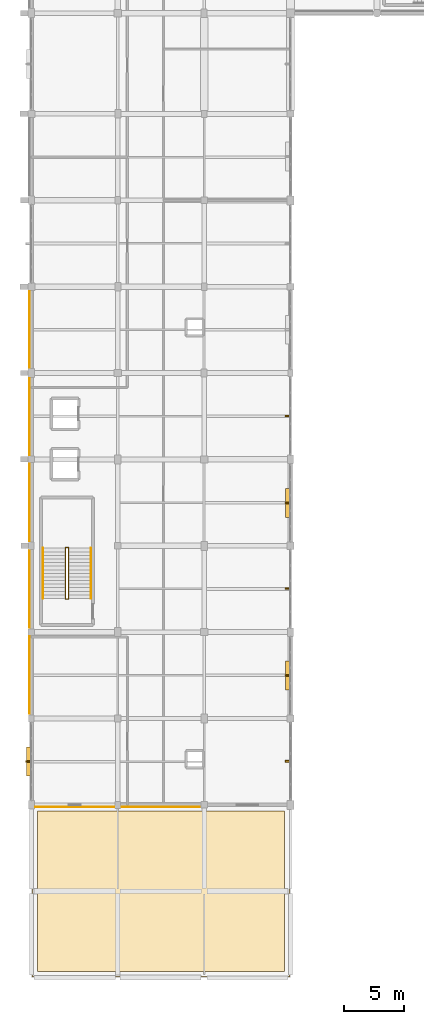
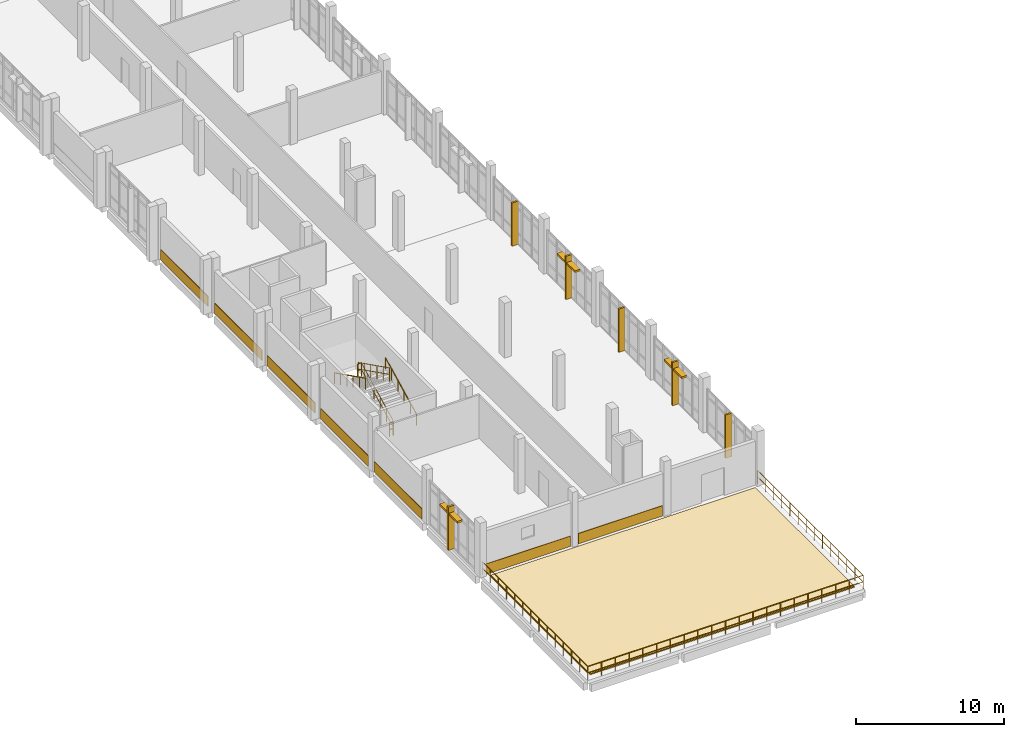
# One storey, part 53 of 57: 9 shading devices, 8 coverings, 7 railings.
"""IFC4 building model written with IfcOpenShell, lengths in metres."""

from ifc_helpers import new_model, si_unit, direction, frame, origin, origin_2d, place, context, subcontext, project, spatial, polyline, rectangle, circle, outline, extrude, material, layer, layer_set, type_object, element, save


model = new_model("IFC4")

# Units and contexts
model_context = context("Model", 3, precision=1e-05, world=origin(), true_north=direction((0.0, 1.0)))
body_context = subcontext(model_context, "Body", "Model", "MODEL_VIEW")
ifc_project = project(units=[si_unit("LENGTHUNIT", "METRE"), si_unit("AREAUNIT", "SQUARE_METRE"), si_unit("VOLUMEUNIT", "CUBIC_METRE"), si_unit("PLANEANGLEUNIT", "RADIAN"), si_unit("MASSUNIT", "GRAM", prefix="KILO")], contexts=[model_context])

# Site, building, storey
site_placement = place(None, origin())
site = spatial("IfcSite", under=ifc_project, at=site_placement, CompositionType="ELEMENT")
building_placement = place(site_placement, origin())
building = spatial("IfcBuilding", under=site, at=building_placement, Name="Kalluvel Institute of Natural Sciences", CompositionType="ELEMENT")
storey_placement = place(building_placement, frame((0.0, 0.0, 23.39990234375)))
storey = spatial("IfcBuildingStorey", under=building, at=storey_placement, Name="L05", CompositionType="ELEMENT", Elevation=23.39990234375)

# Coverings
ifc_material_1 = material(Name="Sadarahalli Grey Granite Ashlar Concrete M40", Category="masonry")
ifc_layer_1 = layer(ifc_material_1, 0.044921875)
ifc_layer_set_1 = layer_set([ifc_layer_1], Name="Sadarahalli Grey Granite Ashlar Concrete M40")
covering_type_1 = type_object("IfcCoveringType", Name="COV-CLAD-STONE", PredefinedType="CLADDING", material=ifc_layer_set_1)
for number, where, z_axis, x_axis, name in (
    (1, (13.830078125, 39.21240234375, 0.025146484375), (0.0, 0.0, 1.0), (0.0, 1.0, 0.0), "L05 Sadarahalli granite plinth spandrel cladding 182"),
    (2, (13.820068359375, 46.387451171875, 0.025146484375), (0.0, 0.0, 1.0), (0.0, 1.0, 0.0), "L05 Sadarahalli granite plinth spandrel cladding 183"),
    (3, (13.820068359375, 53.612548828125, 0.025146484375), (0.0, 0.0, 1.0), (0.0, 1.0, 0.0), "L05 Sadarahalli granite plinth spandrel cladding 184"),
):
    element("IfcCovering", number, at=place(storey_placement, frame(where, z_axis=z_axis, x_axis=x_axis)), inside=storey, type_object=covering_type_1, Name=name, PredefinedType="CLADDING", context=body_context, shape_type="SweptSolid", body=[
        extrude(rectangle(XDim=6.465087890625, YDim=0.044921875, at=origin_2d()), origin(), (0.0, 0.0, 1.0), 0.85009765625),
    ])
covering_1_placement = place(storey_placement, frame((13.820068359375, 60.75, 0.025146484375), z_axis=(0.0, 0.0, 1.0), x_axis=(0.0, 1.0, 0.0)))
element("IfcCovering", 4, at=covering_1_placement, inside=storey, type_object=covering_type_1, Name="L05 Sadarahalli granite plinth spandrel cladding 185", PredefinedType="CLADDING", context=body_context, shape_type="SweptSolid", body=[
    extrude(rectangle(XDim=6.389892578125, YDim=0.044921875, at=origin_2d()), origin(), (0.0, 0.0, 1.0), 0.85009765625),
])
covering_2_placement = place(storey_placement, frame((13.830078125, 68.03759765625, 0.025146484375), z_axis=(0.0, 0.0, 1.0), x_axis=(0.0, 1.0, 0.0)))
element("IfcCovering", 5, at=covering_2_placement, inside=storey, type_object=covering_type_1, Name="L05 Sadarahalli granite plinth spandrel cladding 186", PredefinedType="CLADDING", context=body_context, shape_type="SweptSolid", body=[
    extrude(rectangle(XDim=6.364990234375, YDim=0.044921875, at=origin_2d()), origin(), (0.0, 0.0, 1.0), 0.85009765625),
])
covering_3_placement = place(storey_placement, frame((17.612548828125, 28.22998046875, 0.025146484375), z_axis=(0.0, 0.0, 1.0), x_axis=(1.0, 0.0, 0.0)))
element("IfcCovering", 6, at=covering_3_placement, inside=storey, type_object=covering_type_1, Name="L05 Sadarahalli granite plinth spandrel cladding 189", PredefinedType="CLADDING", context=body_context, shape_type="SweptSolid", body=[
    extrude(rectangle(XDim=6.56494140625, YDim=0.044921875, at=origin_2d()), origin(), (0.0, 0.0, 1.0), 0.85009765625),
])
covering_4_placement = place(storey_placement, frame((24.77490234375, 28.22998046875, 0.025146484375), z_axis=(0.0, 0.0, 1.0), x_axis=(1.0, 0.0, 0.0)))
element("IfcCovering", 7, at=covering_4_placement, inside=storey, type_object=covering_type_1, Name="L05 Sadarahalli granite plinth spandrel cladding 190", PredefinedType="CLADDING", context=body_context, shape_type="SweptSolid", body=[
    extrude(rectangle(XDim=6.5400390625, YDim=0.044921875, at=origin_2d()), origin(), (0.0, 0.0, 1.0), 0.85009765625),
])
ifc_material_2 = material(Name="Planted Sedum and Native Flora Green-Roof Build-Up", Category="earth")
ifc_layer_2 = layer(ifc_material_2, 0.090087890625)
ifc_layer_set_2 = layer_set([ifc_layer_2], Name="Planted Sedum and Native Flora Green-Roof Build-Up")
covering_type_2 = type_object("IfcCoveringType", Name="COV-TER-PLANTED", PredefinedType="ROOFING", material=ifc_layer_set_2)
covering_5_placement = place(storey_placement, origin())
element("IfcCovering", 8, at=covering_5_placement, inside=storey, type_object=covering_type_2, Name="L05 botanical planted terrace green-roof strip RM-L05-DRY-PLANT", PredefinedType="ROOFING", context=body_context, shape_type="SweptSolid", body=[
    extrude(outline(polyline([(14.5, 14.5), (35.10009765625, 14.5), (35.10009765625, 27.89990234375), (14.5, 27.89990234375), (14.5, 14.5)])), origin(), (0.0, 0.0, 1.0), 0.090087890625),
])

# Railings
ifc_material_3 = material(Name="Steel E350 Grade 350", Category="steel")
railing_type_1 = type_object("IfcRailingType", Name="RL-BAL-EXT", PredefinedType="BALUSTRADE", material=ifc_material_3)
railing_1_placement = place(storey_placement, frame((14.080078125, 28.320068359375, 0.0)))
element("IfcRailing", 9, at=railing_1_placement, inside=storey, type_object=railing_type_1, Name="L05 Dry-Wing south terrace balustrade", PredefinedType="BALUSTRADE", context=body_context, shape_type="SweptSolid", body=[
    extrude(circle(Radius=0.02392578125, at=origin_2d()), frame((0.0, 0.0, 1.09619140625), z_axis=(0.0, -1.0, 0.0), x_axis=(1.0, 0.0, 0.0)), (0.0, 0.0, 1.0), 14.239990234375),
    extrude(circle(Radius=0.02392578125, at=origin_2d()), frame((0.0, 0.0, 0.56005859375), z_axis=(0.0, -1.0, 0.0), x_axis=(1.0, 0.0, 0.0)), (0.0, 0.0, 1.0), 14.239990234375),
    extrude(circle(Radius=0.02392578125, at=origin_2d()), frame((0.0, -14.239990234375, 1.09619140625), z_axis=(1.0, 0.0, 0.0), x_axis=(0.0, 1.0, 0.0)), (0.0, 0.0, 1.0), 21.43994140625),
    extrude(circle(Radius=0.02392578125, at=origin_2d()), frame((0.0, -14.239990234375, 0.56005859375), z_axis=(1.0, 0.0, 0.0), x_axis=(0.0, 1.0, 0.0)), (0.0, 0.0, 1.0), 21.43994140625),
    extrude(circle(Radius=0.02392578125, at=origin_2d()), frame((21.43994140625, -14.239990234375, 1.09619140625), z_axis=(0.0, 1.0, 0.0), x_axis=(-1.0, 0.0, 0.0)), (0.0, 0.0, 1.0), 14.239990234375),
    extrude(circle(Radius=0.02392578125, at=origin_2d()), frame((21.43994140625, -14.239990234375, 0.56005859375), z_axis=(0.0, 1.0, 0.0), x_axis=(-1.0, 0.0, 0.0)), (0.0, 0.0, 1.0), 14.239990234375),
    extrude(circle(Radius=0.02099609375, at=origin_2d()), origin(), (0.0, 0.0, 1.0), 1.072021484375),
    extrude(circle(Radius=0.02099609375, at=origin_2d()), frame((0.0, -1.095458984375, 0.0)), (0.0, 0.0, 1.0), 1.072021484375),
    extrude(circle(Radius=0.02099609375, at=origin_2d()), frame((0.0, -2.190673828125, 0.0)), (0.0, 0.0, 1.0), 1.072021484375),
    extrude(circle(Radius=0.02099609375, at=origin_2d()), frame((0.0, -3.2861328125, 0.0)), (0.0, 0.0, 1.0), 1.072021484375),
    extrude(circle(Radius=0.02099609375, at=origin_2d()), frame((0.0, -4.381591796875, 0.0)), (0.0, 0.0, 1.0), 1.072021484375),
    extrude(circle(Radius=0.02099609375, at=origin_2d()), frame((0.0, -5.476806640625, 0.0)), (0.0, 0.0, 1.0), 1.072021484375),
    extrude(circle(Radius=0.02099609375, at=origin_2d()), frame((0.0, -6.572265625, 0.0)), (0.0, 0.0, 1.0), 1.072021484375),
    extrude(circle(Radius=0.02099609375, at=origin_2d()), frame((0.0, -7.667724609375, 0.0)), (0.0, 0.0, 1.0), 1.072021484375),
    extrude(circle(Radius=0.02099609375, at=origin_2d()), frame((0.0, -8.76318359375, 0.0)), (0.0, 0.0, 1.0), 1.072021484375),
    extrude(circle(Radius=0.02099609375, at=origin_2d()), frame((0.0, -9.8583984375, 0.0)), (0.0, 0.0, 1.0), 1.072021484375),
    extrude(circle(Radius=0.02099609375, at=origin_2d()), frame((0.0, -10.953857421875, 0.0)), (0.0, 0.0, 1.0), 1.072021484375),
    extrude(circle(Radius=0.02099609375, at=origin_2d()), frame((0.0, -12.04931640625, 0.0)), (0.0, 0.0, 1.0), 1.072021484375),
    extrude(circle(Radius=0.02099609375, at=origin_2d()), frame((0.0, -13.14453125, 0.0)), (0.0, 0.0, 1.0), 1.072021484375),
    extrude(circle(Radius=0.02099609375, at=origin_2d()), frame((0.0, -14.239990234375, 0.0)), (0.0, 0.0, 1.0), 1.072021484375),
    extrude(circle(Radius=0.02099609375, at=origin_2d()), frame((1.072021484375, -14.239990234375, 0.0)), (0.0, 0.0, 1.0), 1.072021484375),
    extrude(circle(Radius=0.02099609375, at=origin_2d()), frame((2.14404296875, -14.239990234375, 0.0)), (0.0, 0.0, 1.0), 1.072021484375),
    extrude(circle(Radius=0.02099609375, at=origin_2d()), frame((3.216064453125, -14.239990234375, 0.0)), (0.0, 0.0, 1.0), 1.072021484375),
    extrude(circle(Radius=0.02099609375, at=origin_2d()), frame((4.2880859375, -14.239990234375, 0.0)), (0.0, 0.0, 1.0), 1.072021484375),
    extrude(circle(Radius=0.02099609375, at=origin_2d()), frame((5.35986328125, -14.239990234375, 0.0)), (0.0, 0.0, 1.0), 1.072021484375),
    extrude(circle(Radius=0.02099609375, at=origin_2d()), frame((6.431884765625, -14.239990234375, 0.0)), (0.0, 0.0, 1.0), 1.072021484375),
    extrude(circle(Radius=0.02099609375, at=origin_2d()), frame((7.50390625, -14.239990234375, 0.0)), (0.0, 0.0, 1.0), 1.072021484375),
    extrude(circle(Radius=0.02099609375, at=origin_2d()), frame((8.575927734375, -14.239990234375, 0.0)), (0.0, 0.0, 1.0), 1.072021484375),
    extrude(circle(Radius=0.02099609375, at=origin_2d()), frame((9.64794921875, -14.239990234375, 0.0)), (0.0, 0.0, 1.0), 1.072021484375),
    extrude(circle(Radius=0.02099609375, at=origin_2d()), frame((10.719970703125, -14.239990234375, 0.0)), (0.0, 0.0, 1.0), 1.072021484375),
    extrude(circle(Radius=0.02099609375, at=origin_2d()), frame((11.7919921875, -14.239990234375, 0.0)), (0.0, 0.0, 1.0), 1.072021484375),
    extrude(circle(Radius=0.02099609375, at=origin_2d()), frame((12.864013671875, -14.239990234375, 0.0)), (0.0, 0.0, 1.0), 1.072021484375),
    extrude(circle(Radius=0.02099609375, at=origin_2d()), frame((13.93603515625, -14.239990234375, 0.0)), (0.0, 0.0, 1.0), 1.072021484375),
    extrude(circle(Radius=0.02099609375, at=origin_2d()), frame((15.008056640625, -14.239990234375, 0.0)), (0.0, 0.0, 1.0), 1.072021484375),
    extrude(circle(Radius=0.02099609375, at=origin_2d()), frame((16.080078125, -14.239990234375, 0.0)), (0.0, 0.0, 1.0), 1.072021484375),
    extrude(circle(Radius=0.02099609375, at=origin_2d()), frame((17.15185546875, -14.239990234375, 0.0)), (0.0, 0.0, 1.0), 1.072021484375),
    extrude(circle(Radius=0.02099609375, at=origin_2d()), frame((18.223876953125, -14.239990234375, 0.0)), (0.0, 0.0, 1.0), 1.072021484375),
    extrude(circle(Radius=0.02099609375, at=origin_2d()), frame((19.2958984375, -14.239990234375, 0.0)), (0.0, 0.0, 1.0), 1.072021484375),
    extrude(circle(Radius=0.02099609375, at=origin_2d()), frame((20.367919921875, -14.239990234375, 0.0)), (0.0, 0.0, 1.0), 1.072021484375),
    extrude(circle(Radius=0.02099609375, at=origin_2d()), frame((21.43994140625, -14.239990234375, 0.0)), (0.0, 0.0, 1.0), 1.072021484375),
    extrude(circle(Radius=0.02099609375, at=origin_2d()), frame((21.43994140625, -13.14453125, 0.0)), (0.0, 0.0, 1.0), 1.072021484375),
    extrude(circle(Radius=0.02099609375, at=origin_2d()), frame((21.43994140625, -12.04931640625, 0.0)), (0.0, 0.0, 1.0), 1.072021484375),
    extrude(circle(Radius=0.02099609375, at=origin_2d()), frame((21.43994140625, -10.953857421875, 0.0)), (0.0, 0.0, 1.0), 1.072021484375),
    extrude(circle(Radius=0.02099609375, at=origin_2d()), frame((21.43994140625, -9.8583984375, 0.0)), (0.0, 0.0, 1.0), 1.072021484375),
    extrude(circle(Radius=0.02099609375, at=origin_2d()), frame((21.43994140625, -8.76318359375, 0.0)), (0.0, 0.0, 1.0), 1.072021484375),
    extrude(circle(Radius=0.02099609375, at=origin_2d()), frame((21.43994140625, -7.667724609375, 0.0)), (0.0, 0.0, 1.0), 1.072021484375),
    extrude(circle(Radius=0.02099609375, at=origin_2d()), frame((21.43994140625, -6.572265625, 0.0)), (0.0, 0.0, 1.0), 1.072021484375),
    extrude(circle(Radius=0.02099609375, at=origin_2d()), frame((21.43994140625, -5.476806640625, 0.0)), (0.0, 0.0, 1.0), 1.072021484375),
    extrude(circle(Radius=0.02099609375, at=origin_2d()), frame((21.43994140625, -4.381591796875, 0.0)), (0.0, 0.0, 1.0), 1.072021484375),
    extrude(circle(Radius=0.02099609375, at=origin_2d()), frame((21.43994140625, -3.2861328125, 0.0)), (0.0, 0.0, 1.0), 1.072021484375),
    extrude(circle(Radius=0.02099609375, at=origin_2d()), frame((21.43994140625, -2.190673828125, 0.0)), (0.0, 0.0, 1.0), 1.072021484375),
    extrude(circle(Radius=0.02099609375, at=origin_2d()), frame((21.43994140625, -1.095458984375, 0.0)), (0.0, 0.0, 1.0), 1.072021484375),
    extrude(circle(Radius=0.02099609375, at=origin_2d()), frame((21.43994140625, 0.0, 0.0)), (0.0, 0.0, 1.0), 1.072021484375),
])
ifc_material_4 = material(Name="Galvanized Fire-Rated Steel", Category="steel")
railing_type_2 = type_object("IfcRailingType", Name="RL-GD-STAIR", PredefinedType="BALUSTRADE", material=ifc_material_4)
railing_2_placement = place(storey_placement, frame((17.090087890625, 45.60009765625, 0.150146484375)))
element("IfcRailing", 10, at=railing_2_placement, inside=storey, type_object=railing_type_2, Name="L05 ST4 stair guard 1", PredefinedType="BALUSTRADE", context=body_context, shape_type="SweptSolid", body=[
    extrude(circle(Radius=0.02392578125, at=origin_2d()), frame((0.0, 0.0, 1.09619140625), z_axis=(0.0, 0.894437589381, 0.447192798132), x_axis=(-1.0, 0.0, 0.0)), (0.0, 0.0, 1.0), 4.695556640625),
    extrude(circle(Radius=0.02392578125, at=origin_2d()), frame((0.0, 0.0, 0.56005859375), z_axis=(0.0, 0.894437589381, 0.447192798132), x_axis=(-1.0, 0.0, 0.0)), (0.0, 0.0, 1.0), 4.695556640625),
    extrude(circle(Radius=0.02099609375, at=origin_2d()), origin(), (0.0, 0.0, 1.0), 1.072021484375),
    extrude(circle(Radius=0.02099609375, at=origin_2d()), frame((0.0, 0.840087890625, 0.419921875)), (0.0, 0.0, 1.0), 1.072021484375),
    extrude(circle(Radius=0.02099609375, at=origin_2d()), frame((0.0, 1.679931640625, 0.83984375)), (0.0, 0.0, 1.0), 1.072021484375),
    extrude(circle(Radius=0.02099609375, at=origin_2d()), frame((0.0, 2.52001953125, 1.260009765625)), (0.0, 0.0, 1.0), 1.072021484375),
    extrude(circle(Radius=0.02099609375, at=origin_2d()), frame((0.0, 3.35986328125, 1.679931640625)), (0.0, 0.0, 1.0), 1.072021484375),
    extrude(circle(Radius=0.02099609375, at=origin_2d()), frame((0.0, 4.199951171875, 2.099853515625)), (0.0, 0.0, 1.0), 1.072021484375),
])
railing_3_placement = place(storey_placement, frame((17.10498046875, 49.85009765625, 2.25)))
element("IfcRailing", 11, at=railing_3_placement, inside=storey, type_object=railing_type_2, Name="L05 ST4 stair guard 2", PredefinedType="BALUSTRADE", context=body_context, shape_type="SweptSolid", body=[
    extrude(circle(Radius=0.02392578125, at=origin_2d()), frame((0.0, 0.0, 1.09619140625), z_axis=(-1.0, 0.0, 0.0), x_axis=(0.0, -1.0, 0.0)), (0.0, 0.0, 1.0), 0.280029296875),
    extrude(circle(Radius=0.02392578125, at=origin_2d()), frame((0.0, 0.0, 0.56005859375), z_axis=(-1.0, 0.0, 0.0), x_axis=(0.0, -1.0, 0.0)), (0.0, 0.0, 1.0), 0.280029296875),
    extrude(circle(Radius=0.02099609375, at=origin_2d()), origin(), (0.0, 0.0, 1.0), 1.072021484375),
    extrude(circle(Radius=0.02099609375, at=origin_2d()), frame((-0.280029296875, 0.0, 0.0)), (0.0, 0.0, 1.0), 1.072021484375),
])
railing_4_placement = place(storey_placement, frame((16.840087890625, 49.800048828125, 2.400146484375)))
element("IfcRailing", 12, at=railing_4_placement, inside=storey, type_object=railing_type_2, Name="L05 ST4 stair guard 3", PredefinedType="BALUSTRADE", context=body_context, shape_type="SweptSolid", body=[
    extrude(circle(Radius=0.02392578125, at=origin_2d()), frame((0.0, 0.0, 1.09619140625), z_axis=(0.0, -0.894437589381, 0.447192798132), x_axis=(1.0, 0.0, 0.0)), (0.0, 0.0, 1.0), 4.695556640625),
    extrude(circle(Radius=0.02392578125, at=origin_2d()), frame((0.0, 0.0, 0.56005859375), z_axis=(0.0, -0.894437589381, 0.447192798132), x_axis=(1.0, 0.0, 0.0)), (0.0, 0.0, 1.0), 4.695556640625),
    extrude(circle(Radius=0.02099609375, at=origin_2d()), origin(), (0.0, 0.0, 1.0), 1.072021484375),
    extrude(circle(Radius=0.02099609375, at=origin_2d()), frame((0.0, -0.840087890625, 0.419921875)), (0.0, 0.0, 1.0), 1.072021484375),
    extrude(circle(Radius=0.02099609375, at=origin_2d()), frame((0.0, -1.679931640625, 0.83984375)), (0.0, 0.0, 1.0), 1.072021484375),
    extrude(circle(Radius=0.02099609375, at=origin_2d()), frame((0.0, -2.52001953125, 1.260009765625)), (0.0, 0.0, 1.0), 1.072021484375),
    extrude(circle(Radius=0.02099609375, at=origin_2d()), frame((0.0, -3.35986328125, 1.679931640625)), (0.0, 0.0, 1.0), 1.072021484375),
    extrude(circle(Radius=0.02099609375, at=origin_2d()), frame((0.0, -4.199951171875, 2.099853515625)), (0.0, 0.0, 1.0), 1.072021484375),
])
railing_5_placement = place(storey_placement, frame((17.10498046875, 45.550048828125, 0.0)))
element("IfcRailing", 13, at=railing_5_placement, inside=storey, type_object=railing_type_2, Name="L05 ST4 stair guard 4", PredefinedType="BALUSTRADE", context=body_context, shape_type="SweptSolid", body=[
    extrude(circle(Radius=0.02392578125, at=origin_2d()), frame((0.0, 0.0, 1.09619140625), z_axis=(-1.0, 0.0, 0.0), x_axis=(0.0, -1.0, 0.0)), (0.0, 0.0, 1.0), 0.280029296875),
    extrude(circle(Radius=0.02392578125, at=origin_2d()), frame((0.0, 0.0, 0.56005859375), z_axis=(-1.0, 0.0, 0.0), x_axis=(0.0, -1.0, 0.0)), (0.0, 0.0, 1.0), 0.280029296875),
    extrude(circle(Radius=0.02099609375, at=origin_2d()), origin(), (0.0, 0.0, 1.0), 1.072021484375),
    extrude(circle(Radius=0.02099609375, at=origin_2d()), frame((-0.280029296875, 0.0, 0.0)), (0.0, 0.0, 1.0), 1.072021484375),
])
railing_type_3 = type_object("IfcRailingType", Name="RL-HR-STAIR", PredefinedType="HANDRAIL", material=ifc_material_4)
railing_6_placement = place(storey_placement, frame((18.949951171875, 45.60009765625, 0.150146484375)))
element("IfcRailing", 14, at=railing_6_placement, inside=storey, type_object=railing_type_3, Name="L05 ST4 stair handrail 1", PredefinedType="HANDRAIL", context=body_context, shape_type="SweptSolid", body=[
    extrude(circle(Radius=0.02392578125, at=origin_2d()), frame((0.0, 0.0, 0.89599609375), z_axis=(0.0, 0.894437589381, 0.447192798132), x_axis=(-1.0, 0.0, 0.0)), (0.0, 0.0, 1.0), 4.695556640625),
    extrude(circle(Radius=0.02099609375, at=origin_2d()), origin(), (0.0, 0.0, 1.0), 0.871826171875),
    extrude(circle(Radius=0.02099609375, at=origin_2d()), frame((0.0, 0.840087890625, 0.419921875)), (0.0, 0.0, 1.0), 0.871826171875),
    extrude(circle(Radius=0.02099609375, at=origin_2d()), frame((0.0, 1.679931640625, 0.83984375)), (0.0, 0.0, 1.0), 0.871826171875),
    extrude(circle(Radius=0.02099609375, at=origin_2d()), frame((0.0, 2.52001953125, 1.260009765625)), (0.0, 0.0, 1.0), 0.871826171875),
    extrude(circle(Radius=0.02099609375, at=origin_2d()), frame((0.0, 3.35986328125, 1.679931640625)), (0.0, 0.0, 1.0), 0.871826171875),
    extrude(circle(Radius=0.02099609375, at=origin_2d()), frame((0.0, 4.199951171875, 2.099853515625)), (0.0, 0.0, 1.0), 0.871826171875),
])
railing_7_placement = place(storey_placement, frame((14.97998046875, 49.800048828125, 2.400146484375)))
element("IfcRailing", 15, at=railing_7_placement, inside=storey, type_object=railing_type_3, Name="L05 ST4 stair handrail 2", PredefinedType="HANDRAIL", context=body_context, shape_type="SweptSolid", body=[
    extrude(circle(Radius=0.02392578125, at=origin_2d()), frame((0.0, 0.0, 0.89599609375), z_axis=(0.0, -0.894437589381, 0.447192798132), x_axis=(1.0, 0.0, 0.0)), (0.0, 0.0, 1.0), 4.695556640625),
    extrude(circle(Radius=0.02099609375, at=origin_2d()), origin(), (0.0, 0.0, 1.0), 0.871826171875),
    extrude(circle(Radius=0.02099609375, at=origin_2d()), frame((0.0, -0.840087890625, 0.419921875)), (0.0, 0.0, 1.0), 0.871826171875),
    extrude(circle(Radius=0.02099609375, at=origin_2d()), frame((0.0, -1.679931640625, 0.83984375)), (0.0, 0.0, 1.0), 0.871826171875),
    extrude(circle(Radius=0.02099609375, at=origin_2d()), frame((0.0, -2.52001953125, 1.260009765625)), (0.0, 0.0, 1.0), 0.871826171875),
    extrude(circle(Radius=0.02099609375, at=origin_2d()), frame((0.0, -3.35986328125, 1.679931640625)), (0.0, 0.0, 1.0), 0.871826171875),
    extrude(circle(Radius=0.02099609375, at=origin_2d()), frame((0.0, -4.199951171875, 2.099853515625)), (0.0, 0.0, 1.0), 0.871826171875),
])

# Shading devices
shading_device_type_1 = type_object("IfcShadingDeviceType", Name="SHD-FIN-STONE", PredefinedType="USERDEFINED", material=ifc_material_1)
for number, where, z_axis, x_axis, name in (
    (16, (13.780029296875, 32.02490234375, 0.0), (0.0, 0.0, 1.0), (0.0, 1.0, 0.0), "L05 monsoon lancet shading fin 186"),
    (17, (35.3798828125, 32.03759765625, 0.0), (0.0, 0.0, 1.0), (0.0, 1.0, 0.0), "L05 monsoon lancet shading fin 191"),
    (18, (35.3798828125, 39.175048828125, 0.0), (0.0, 0.0, 1.0), (0.0, 1.0, 0.0), "L05 monsoon lancet shading fin 192"),
    (19, (35.3798828125, 46.425048828125, 0.0), (0.0, 0.0, 1.0), (0.0, 1.0, 0.0), "L05 monsoon lancet shading fin 194"),
    (20, (35.3798828125, 53.574951171875, 0.0), (0.0, 0.0, 1.0), (0.0, 1.0, 0.0), "L05 monsoon lancet shading fin 195"),
    (21, (35.3798828125, 60.824951171875, 0.0), (0.0, 0.0, 1.0), (0.0, 1.0, 0.0), "L05 monsoon lancet shading fin 197"),
):
    element("IfcShadingDevice", number, at=place(storey_placement, frame(where, z_axis=z_axis, x_axis=x_axis)), inside=storey, type_object=shading_device_type_1, Name=name, ObjectType="MONSOON FIN", PredefinedType="USERDEFINED", context=body_context, shape_type="SweptSolid", body=[
        extrude(rectangle(XDim=0.139892578125, YDim=0.47998046875, at=origin_2d()), origin(), (0.0, 0.0, 1.0), 3.570068359375),
    ])
ifc_material_5 = material(Name="Aluminium AW-6063 T6", Category="aluminium")
shading_device_type_2 = type_object("IfcShadingDeviceType", Name="SHD-LOUV-ALU", PredefinedType="JALOUSIE", material=ifc_material_5)
for number, where, z_axis, x_axis, name in (
    (22, (13.800048828125, 32.02490234375, 2.89013671875), (0.0, 0.0, 1.0), (0.0, 1.0, 0.0), "L05 aluminium sun-shading louvre 187"),
    (23, (35.39990234375, 39.175048828125, 2.89013671875), (0.0, 0.0, 1.0), (0.0, 1.0, 0.0), "L05 aluminium sun-shading louvre 193"),
    (24, (35.39990234375, 53.574951171875, 2.89013671875), (0.0, 0.0, 1.0), (0.0, 1.0, 0.0), "L05 aluminium sun-shading louvre 196"),
):
    element("IfcShadingDevice", number, at=place(storey_placement, frame(where, z_axis=z_axis, x_axis=x_axis)), inside=storey, type_object=shading_device_type_2, Name=name, PredefinedType="JALOUSIE", context=body_context, shape_type="SweptSolid", body=[
        extrude(rectangle(XDim=2.39990234375, YDim=0.419921875, at=origin_2d()), origin(), (0.0, 0.0, 1.0), 0.159912109375),
    ])

save(model, "model.ifc")
